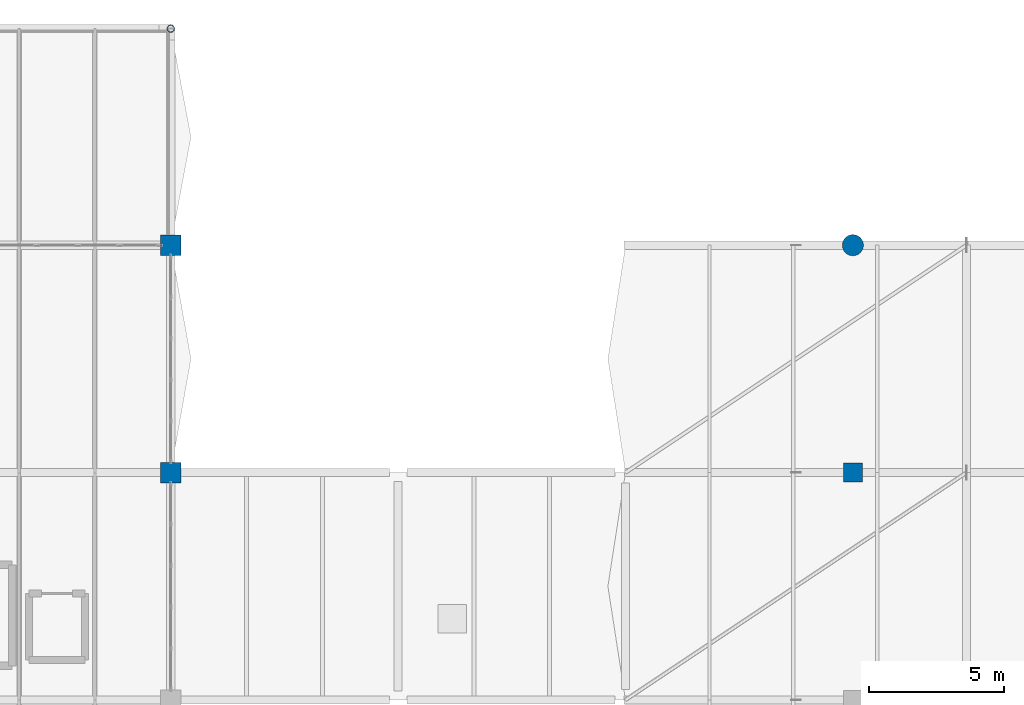
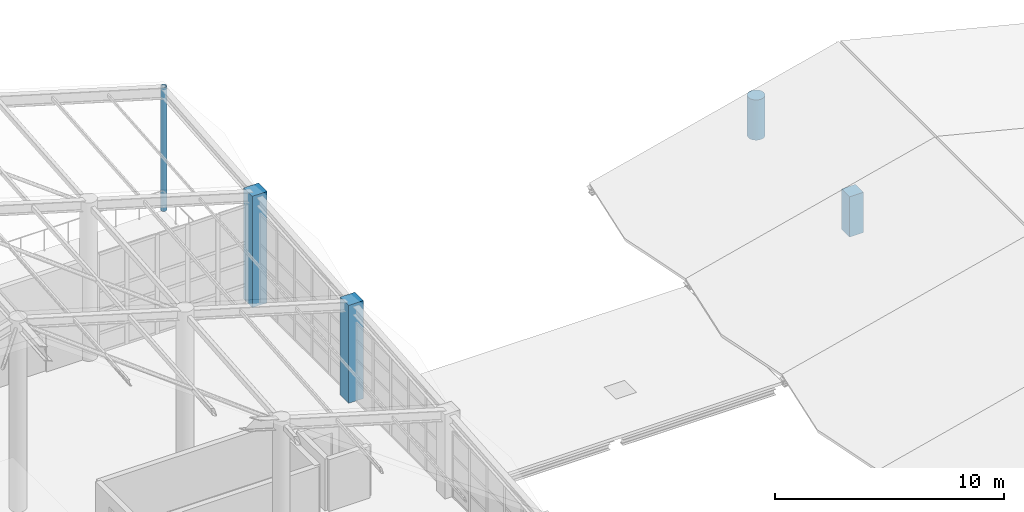
# One storey, part 3 of 95: 5 columns.
"""IFC4 building model written with IfcOpenShell, lengths in metres."""

from ifc_helpers import new_model, si_unit, direction, frame, origin, origin_2d, place, context, subcontext, project, spatial, rectangle, circle, hollow_circle, extrude, material, material_profile, profile_set, type_object, element, save


model = new_model("IFC4")

# Units and contexts
model_context = context("Model", 3, precision=1e-05, world=origin(), true_north=direction((0.0, 1.0)))
body_context = subcontext(model_context, "Body", "Model", "MODEL_VIEW")
ifc_project = project(units=[si_unit("LENGTHUNIT", "METRE"), si_unit("AREAUNIT", "SQUARE_METRE"), si_unit("VOLUMEUNIT", "CUBIC_METRE"), si_unit("PLANEANGLEUNIT", "RADIAN"), si_unit("MASSUNIT", "GRAM", prefix="KILO"), si_unit("THERMODYNAMICTEMPERATUREUNIT", "KELVIN"), si_unit("POWERUNIT", "WATT")], contexts=[model_context])

# Site, building, storey
site_placement = place(None, origin())
site = spatial("IfcSite", under=ifc_project, at=site_placement, CompositionType="ELEMENT")
building_placement = place(site_placement, origin())
building = spatial("IfcBuilding", under=site, at=building_placement, Name="Mavoryth Pier Ferry Terminal", CompositionType="ELEMENT")
storey_placement = place(building_placement, frame((0.0, 0.0, 9.60009765625)))
storey = spatial("IfcBuildingStorey", under=building, at=storey_placement, Name="L02", CompositionType="ELEMENT", Elevation=9.60009765625)

# Columns
ifc_material_1 = material(Name="Concrete C40/50", Category="concrete")
ifc_material_profile_1 = material_profile(ifc_material_1, circle(Radius=0.389892578125, at=origin_2d()), Name="RC D780", Category="concrete")
ifc_profile_set_1 = profile_set([ifc_material_profile_1], Name="Concrete C40/50 - RC D780")
column_type_1 = type_object("IfcColumnType", Name="Col-Pilotis-D780", PredefinedType="COLUMN", material=ifc_profile_set_1)
column_1_placement = place(storey_placement, frame((58.800048828125, 106.0, 0.0), z_axis=(0.0, 0.0, 1.0), x_axis=(1.0, 0.0, 0.0)))
element("IfcColumn", 1, at=column_1_placement, inside=storey, type_object=column_type_1, Name="Column C02-CC03-244", PredefinedType="COLUMN", context=body_context, shape_type="SweptSolid", body=[
    extrude(circle(Radius=0.389892578125, at=origin_2d()), origin(), (0.0, 0.0, 1.0), 2.143798828125),
])
ifc_material_profile_2 = material_profile(ifc_material_1, rectangle(XDim=0.699951171875, YDim=0.699951171875, at=origin_2d()), Name="RC 700x700", Category="concrete")
ifc_profile_set_2 = profile_set([ifc_material_profile_2], Name="Concrete C40/50 - RC 700x700")
column_type_2 = type_object("IfcColumnType", Name="Col-RC-700x700", PredefinedType="COLUMN", material=ifc_profile_set_2)
column_2_placement = place(storey_placement, frame((58.800048828125, 97.60009765625, 0.0), z_axis=(0.0, 0.0, 1.0), x_axis=(1.0, 0.0, 0.0)))
element("IfcColumn", 2, at=column_2_placement, inside=storey, type_object=column_type_2, Name="Column C02-CC09-243", PredefinedType="COLUMN", context=body_context, shape_type="SweptSolid", body=[
    extrude(rectangle(XDim=0.699951171875, YDim=0.699951171875, at=origin_2d()), origin(), (0.0, 0.0, 1.0), 2.143798828125),
])
ifc_material_profile_3 = material_profile(ifc_material_1, rectangle(XDim=0.75, YDim=0.75, at=origin_2d()), Name="RC 750x750", Category="concrete")
ifc_profile_set_3 = profile_set([ifc_material_profile_3], Name="Concrete C40/50 - RC 750x750")
column_type_3 = type_object("IfcColumnType", Name="Col-RC-750x750", PredefinedType="COLUMN", material=ifc_profile_set_3)
column_3_placement = place(storey_placement, frame((33.60009765625, 97.60009765625, 0.0), z_axis=(0.0, 0.0, 1.0), x_axis=(1.0, 0.0, 0.0)))
element("IfcColumn", 3, at=column_3_placement, inside=storey, type_object=column_type_3, Name="Column C02-CC10-177", PredefinedType="COLUMN", context=body_context, shape_type="SweptSolid", body=[
    extrude(rectangle(XDim=0.75, YDim=0.75, at=origin_2d()), origin(), (0.0, 0.0, 1.0), 5.20947265625),
])
column_4_placement = place(storey_placement, frame((33.60009765625, 106.0, 0.0), z_axis=(0.0, 0.0, 1.0), x_axis=(1.0, 0.0, 0.0)))
element("IfcColumn", 4, at=column_4_placement, inside=storey, type_object=column_type_3, Name="Column C02-CC10-178", PredefinedType="COLUMN", context=body_context, shape_type="SweptSolid", body=[
    extrude(rectangle(XDim=0.75, YDim=0.75, at=origin_2d()), origin(), (0.0, 0.0, 1.0), 5.923583984375),
])
ifc_material_2 = material(Name="Steel S355J2", Category="steel")
ifc_material_profile_4 = material_profile(ifc_material_2, hollow_circle(Radius=0.136474609375, WallThickness=0.012451171875, at=origin_2d()), Name="CHS 273.0x12.5", Category="steel")
ifc_profile_set_4 = profile_set([ifc_material_profile_4], Name="Steel S355J2 - CHS 273.0x12.5")
column_type_4 = type_object("IfcColumnType", Name="Col-SteelPost-CHS273", PredefinedType="COLUMN", material=ifc_profile_set_4)
column_5_placement = place(storey_placement, frame((33.60009765625, 114.0, 0.0), z_axis=(0.0, 0.0, 1.0), x_axis=(1.0, 0.0, 0.0)))
element("IfcColumn", 5, at=column_5_placement, inside=storey, type_object=column_type_4, Name="Column C02-SC01-179", PredefinedType="COLUMN", context=body_context, shape_type="SweptSolid", body=[
    extrude(hollow_circle(Radius=0.136474609375, WallThickness=0.012451171875, at=origin_2d()), origin(), (0.0, 0.0, 1.0), 6.60400390625),
])

save(model, "model.ifc")
